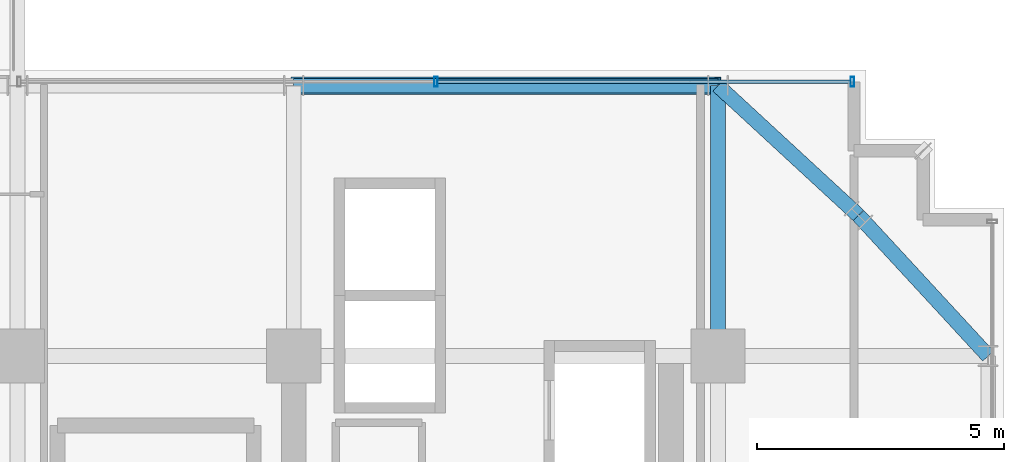
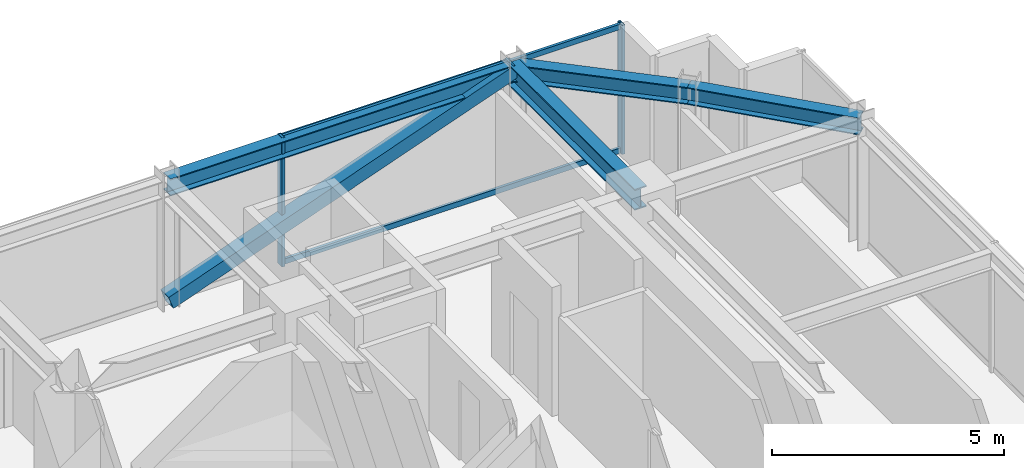
# One storey, part 28 of 43: 5 members, 4 beams, 1 element without a shape of its own.
"""IFC4 building model written with IfcOpenShell, lengths in metres."""

import ifcopenshell
import ifcopenshell.guid

model = None  # the IFC model being written
_history = None  # IfcOwnerHistory: only IFC2X3 demands one
_inside = {}  # id of a spatial element -> (the spatial element, [elements in it])
_under = {}  # id of a project, library or spatial element -> (it, [spatial elements below it])
_declared = {}  # id of a project -> (the project, [libraries it declares])
_typed = {}  # id of a type object -> (the type object, [elements of that type])
_made_of = {}  # id of a material, layer set ... -> (it, [elements and type objects made of it])


def new_model(schema):
    """Start an empty IFC model of exactly this schema.

    Asked for "IFC4X3", IfcOpenShell would pick the latest addendum, in which some entities
    have other attributes; the version numbers below select the first issue.
    IFC2X3 requires an IfcOwnerHistory on every rooted entity: one is made here for all.
    """
    global model, _history
    if schema == "IFC4X3":
        model = ifcopenshell.file(schema_version=(4, 3, 0, 0))
    else:
        model = ifcopenshell.file(schema=schema)
    _inside.clear()
    _under.clear()
    _declared.clear()
    _typed.clear()
    _made_of.clear()
    _history = None
    if model.schema == "IFC2X3":
        org = make("IfcOrganization", Name="unknown")
        user = make(
            "IfcPersonAndOrganization",
            ThePerson=make("IfcPerson", FamilyName="unknown"),
            TheOrganization=org,
        )
        app = make(
            "IfcApplication",
            ApplicationDeveloper=org,
            Version="unknown",
            ApplicationFullName="unknown",
            ApplicationIdentifier="unknown",
        )
        _history = make(
            "IfcOwnerHistory",
            OwningUser=user,
            OwningApplication=app,
            ChangeAction="ADDED",
            CreationDate=0,
        )
    return model


def make(cls, **values):
    """One entity of the class cls with the attributes given. An attribute that is None is left unset."""
    return model.create_entity(
        cls, **{name: value for name, value in values.items() if value is not None}
    )


def rooted(cls, **values):
    """An entity with a GlobalId (a new one), such as an element, a storey or a relation."""
    return make(cls, GlobalId=ifcopenshell.guid.new(), OwnerHistory=_history, **values)


def si_unit(unit_type, name, prefix=None):
    """IfcSIUnit, for example si_unit("LENGTHUNIT", "METRE", prefix="MILLI")."""
    return make("IfcSIUnit", UnitType=unit_type, Prefix=prefix, Name=name)


def assignment(units):
    """IfcUnitAssignment: the units of a project."""
    return None if units is None else make("IfcUnitAssignment", Units=units)


def point(xyz):
    """IfcCartesianPoint."""
    return None if xyz is None else make("IfcCartesianPoint", Coordinates=xyz)


def direction(xyz):
    """IfcDirection."""
    return None if xyz is None else make("IfcDirection", DirectionRatios=xyz)


def frame(location, z_axis=None, x_axis=None):
    """IfcAxis2Placement3D, a coordinate frame: its origin and axes. An axis left out is left unset."""
    return make(
        "IfcAxis2Placement3D",
        Location=point(location),
        Axis=direction(z_axis),
        RefDirection=direction(x_axis),
    )


def frame_2d(location, x_axis=None):
    """IfcAxis2Placement2D, a coordinate frame in the plane: its origin and x axis."""
    return make(
        "IfcAxis2Placement2D", Location=point(location), RefDirection=direction(x_axis)
    )


def origin():
    """The frame at (0, 0, 0) with its axes left unset."""
    return frame((0.0, 0.0, 0.0))


def origin_2d():
    """The frame at (0, 0) in the plane with its x axis left unset."""
    return frame_2d((0.0, 0.0))


def place(relative_to, where):
    """IfcLocalPlacement: puts the frame where relative to a parent placement (None: the world)."""
    return make(
        "IfcLocalPlacement", PlacementRelTo=relative_to, RelativePlacement=where
    )


def context(
    kind, dimensions, precision=None, world=None, true_north=None, identifier=None
):
    """IfcGeometricRepresentationContext, for example the 3D "Model" context."""
    return make(
        "IfcGeometricRepresentationContext",
        ContextIdentifier=identifier,
        ContextType=kind,
        CoordinateSpaceDimension=dimensions,
        Precision=precision,
        WorldCoordinateSystem=world,
        TrueNorth=true_north,
    )


def subcontext(parent, identifier, kind, view, scale=None):
    """IfcGeometricRepresentationSubContext, for example "Body" below "Model"."""
    return make(
        "IfcGeometricRepresentationSubContext",
        ContextIdentifier=identifier,
        ContextType=kind,
        ParentContext=parent,
        TargetScale=scale,
        TargetView=view,
    )


def project(units=None, contexts=None):
    """IfcProject with its units and contexts."""
    return rooted(
        "IfcProject",
        Name="project",
        RepresentationContexts=contexts,
        UnitsInContext=assignment(units),
    )


def spatial(cls, under=None, at=None, **own):
    """A site, building, storey or space (cls), placed at a placement, below another one or the project."""
    s = rooted(cls, ObjectPlacement=at, **own)
    if under is not None:
        _under.setdefault(under.id(), (under, []))[1].append(s)
    return s


def profile(cls, at=None, kind="AREA", **sizes):
    """A parametric profile (cls). Its sizes go by their IFC names, for example OverallWidth=200.0."""
    return make(cls, ProfileType=kind, Position=at, **sizes)


def hollow_rectangle(**sizes):
    """IfcRectangleHollowProfileDef."""
    return profile("IfcRectangleHollowProfileDef", **sizes)


def i_section(**sizes):
    """IfcIShapeProfileDef."""
    return profile("IfcIShapeProfileDef", **sizes)


def extrude(swept, where, along, depth):
    """IfcExtrudedAreaSolid: the profile swept, set in the frame where, extruded along a direction by depth."""
    return make(
        "IfcExtrudedAreaSolid",
        SweptArea=swept,
        Position=where,
        ExtrudedDirection=direction(along),
        Depth=depth,
    )


def shape(context_of_items, identifier, shape_type, items):
    """IfcShapeRepresentation: the items that make up one representation, for example the "Body"."""
    return make(
        "IfcShapeRepresentation",
        ContextOfItems=context_of_items,
        RepresentationIdentifier=identifier,
        RepresentationType=shape_type,
        Items=items,
    )


def source(mapping_origin, context_of_items, identifier, shape_type, items):
    """IfcRepresentationMap: a shape defined once, which mapped items show again and again."""
    return make(
        "IfcRepresentationMap",
        MappingOrigin=mapping_origin,
        MappedRepresentation=shape(context_of_items, identifier, shape_type, items),
    )


def transform(
    local_origin,
    x_axis=None,
    y_axis=None,
    z_axis=None,
    scale=None,
    scale2=None,
    scale3=None,
    uniform=True,
):
    """IfcCartesianTransformationOperator3D, or its non-uniform kind. x_axis, y_axis, z_axis: its Axis1, 2, 3."""
    if uniform:
        return make(
            "IfcCartesianTransformationOperator3D",
            Axis1=direction(x_axis),
            Axis2=direction(y_axis),
            LocalOrigin=point(local_origin),
            Scale=scale,
            Axis3=direction(z_axis),
        )
    return make(
        "IfcCartesianTransformationOperator3DnonUniform",
        Axis1=direction(x_axis),
        Axis2=direction(y_axis),
        LocalOrigin=point(local_origin),
        Scale=scale,
        Axis3=direction(z_axis),
        Scale2=scale2,
        Scale3=scale3,
    )


def mapped(mapping_source, mapping_target):
    """IfcMappedItem: shows the shape of a source again, moved by a transform."""
    return make(
        "IfcMappedItem", MappingSource=mapping_source, MappingTarget=mapping_target
    )


def material(Name=None, Category=None):
    """IfcMaterial."""
    return make("IfcMaterial", Name=Name, Category=Category)


def material_profile(
    of_material, cross_section, Name=None, Category=None, Priority=None
):
    """IfcMaterialProfile: a cross section and its material."""
    return make(
        "IfcMaterialProfile",
        Name=Name,
        Material=of_material,
        Profile=cross_section,
        Priority=Priority,
        Category=Category,
    )


def profile_set(profiles, Name=None, composite=None):
    """IfcMaterialProfileSet."""
    return make(
        "IfcMaterialProfileSet",
        Name=Name,
        MaterialProfiles=profiles,
        CompositeProfile=composite,
    )


def made_of(thing, what):
    """Note that an element or type object is made of a material, layer set ...; save() writes the relation."""
    if what is not None:
        _made_of.setdefault(what.id(), (what, []))[1].append(thing)
    return thing


def type_object(cls, material=None, **own):
    """A type object (cls), such as IfcWallType, which elements share."""
    return made_of(rooted(cls, **own), material)


def element(
    cls,
    number,
    at=None,
    inside=None,
    cuts=None,
    type_object=None,
    material=None,
    context=None,
    identifier="Body",
    shape_type=None,
    held_by="IfcProductDefinitionShape",
    body=None,
    shapes=None,
    **own,
):
    """One element of the class cls, such as IfcWall. Its Tag is "e" and its number.

    at: its placement. inside: the storey or other place that contains it. cuts: it is an
    opening in that element (IfcRelVoidsElement). A single representation is given by context,
    identifier, shape_type and body (its items); several are given by shapes. held_by: the class
    of the entity that holds the representations. save() writes the other relations.
    """
    e = rooted(cls, Tag="e%d" % number, ObjectPlacement=at, **own)
    if body is not None:
        shapes = [shape(context, identifier, shape_type, body)]
    if shapes is not None:
        e.Representation = make(held_by, Representations=shapes)
    if inside is not None:
        _inside.setdefault(inside.id(), (inside, []))[1].append(e)
    if cuts is not None:
        rooted(
            "IfcRelVoidsElement", RelatingBuildingElement=cuts, RelatedOpeningElement=e
        )
    if type_object is not None:
        _typed.setdefault(type_object.id(), (type_object, []))[1].append(e)
    return made_of(e, material)


def aggregate(whole, parts):
    """IfcRelAggregates: a whole, such as a stair, and the parts it consists of."""
    return rooted("IfcRelAggregates", RelatingObject=whole, RelatedObjects=parts)


def save(model, path):
    """Write the relations noted so far, then the file.

    IfcRelAggregates (storeys below a building ...), IfcRelContainedInSpatialStructure (elements
    in a storey), IfcRelDefinesByType, IfcRelAssociatesMaterial and IfcRelDeclares: one each for
    every whole, place, type object, material and project.
    """
    for whole, parts in _under.values():
        aggregate(whole, parts)
    for where, things in _inside.values():
        rooted(
            "IfcRelContainedInSpatialStructure",
            RelatedElements=things,
            RelatingStructure=where,
        )
    for kind, things in _typed.values():
        rooted("IfcRelDefinesByType", RelatedObjects=things, RelatingType=kind)
    for what, things in _made_of.values():
        rooted("IfcRelAssociatesMaterial", RelatedObjects=things, RelatingMaterial=what)
    for by, libraries in _declared.values():
        rooted("IfcRelDeclares", RelatingContext=by, RelatedDefinitions=libraries)
    model.write(path)


model = new_model("IFC4")

# Units and contexts
model_context = context("Model", 3, precision=1e-05, world=origin(), true_north=direction((0.0, 1.0)))
body_context = subcontext(model_context, "Body", "Model", "MODEL_VIEW")
ifc_project = project(units=[si_unit("LENGTHUNIT", "METRE"), si_unit("AREAUNIT", "SQUARE_METRE"), si_unit("VOLUMEUNIT", "CUBIC_METRE"), si_unit("PLANEANGLEUNIT", "RADIAN"), si_unit("MASSUNIT", "GRAM", prefix="KILO")], contexts=[model_context])

# Site, building, storey
site_placement = place(None, origin())
site = spatial("IfcSite", under=ifc_project, at=site_placement, CompositionType="ELEMENT")
building_placement = place(site_placement, origin())
building = spatial("IfcBuilding", under=site, at=building_placement, Name="Nahalor Promenade Grand Hotel", CompositionType="ELEMENT")
storey_placement = place(building_placement, frame((0.0, 0.0, 181.85009765625)))
storey = spatial("IfcBuildingStorey", under=building, at=storey_placement, Name="L46", CompositionType="ELEMENT", Elevation=181.85009765625)

# Beams
ifc_material_1 = material(Name="Steel S355JR", Category="steel")
ifc_material_profile_1 = material_profile(ifc_material_1, i_section(OverallWidth=0.3, OverallDepth=0.55, WebThickness=0.015, FlangeThickness=0.029, at=origin_2d()), Name="HEB 550")
ifc_profile_set_1 = profile_set([ifc_material_profile_1], Name="Steel S355JR")
beam_type_1 = type_object("IfcBeamType", Name="Beam-Girder-HEB550", PredefinedType="BEAM", material=ifc_profile_set_1)
shared_shape_1 = source(origin(), body_context, "Body", "SweptSolid", [
    extrude(i_section(OverallWidth=0.3, OverallDepth=0.55, WebThickness=0.015, FlangeThickness=0.029, at=origin_2d()), origin(), (0.0, 0.0, 1.0), 5.47998046875),
])
beam_1_placement = place(storey_placement, frame((17.0, 17.0, 3.114990234375), z_axis=(0.0, 1.0, 0.0), x_axis=(-1.0, 0.0, 0.0)))
element("IfcBeam", 1, at=beam_1_placement, inside=storey, type_object=beam_type_1, Name="BM-L46-GY-5-4", PredefinedType="BEAM", context=body_context, shape_type="MappedRepresentation", body=[
    mapped(shared_shape_1, transform((0.0, 0.0, 0.0), scale=1.0)),
])
ifc_material_profile_2 = material_profile(ifc_material_1, i_section(OverallWidth=0.3, OverallDepth=0.45, WebThickness=0.014, FlangeThickness=0.026, at=origin_2d()), Name="HEB 450")
ifc_profile_set_2 = profile_set([ifc_material_profile_2], Name="Steel S355JR")
beam_type_2 = type_object("IfcBeamType", Name="Beam-Spandrel-HEB450", PredefinedType="SPANDREL", material=ifc_profile_set_2)
shared_shape_2 = source(origin(), body_context, "Body", "SweptSolid", [
    extrude(i_section(OverallWidth=0.3, OverallDepth=0.45, WebThickness=0.014, FlangeThickness=0.026, at=origin_2d()), origin(), (0.0, 0.0, 1.0), 8.60009765625),
])
beam_2_placement = place(storey_placement, frame((8.39990234375, 22.47998046875, 3.164794921875), z_axis=(1.0, 0.0, 0.0), x_axis=(0.0, 1.0, 0.0)))
element("IfcBeam", 2, at=beam_2_placement, inside=storey, type_object=beam_type_2, Name="BM-L46-SP-N-4", PredefinedType="SPANDREL", context=body_context, shape_type="MappedRepresentation", body=[
    mapped(shared_shape_2, transform((0.0, 0.0, 0.0), scale=1.0)),
])
shared_shape_3 = source(origin(), body_context, "Body", "SweptSolid", [
    extrude(i_section(OverallWidth=0.3, OverallDepth=0.45, WebThickness=0.014, FlangeThickness=0.026, at=origin_2d()), origin(), (0.0, 0.0, 1.0), 3.878173828125),
])
for number, where, z_axis, x_axis, name in (
    (3, (17.0, 22.47998046875, 3.164794921875), (0.73492893846, -0.678144125843, 0.0), (0.678144125843, 0.73492893846, 0.0), "BM-L46-SPC-NE-1"),
    (4, (19.85009765625, 19.85009765625, 3.164794921875), (0.678144125843, -0.73492893846, 0.0), (0.73492893846, 0.678144125843, 0.0), "BM-L46-SPC-NE-2"),
):
    element("IfcBeam", number, at=place(storey_placement, frame(where, z_axis=z_axis, x_axis=x_axis)), inside=storey, type_object=beam_type_2, Name=name, PredefinedType="SPANDREL", context=body_context, shape_type="MappedRepresentation", body=[
        mapped(shared_shape_3, transform((0.0, 0.0, 0.0), scale=1.0)),
    ])

# Member
ifc_material_profile_3 = material_profile(ifc_material_1, hollow_rectangle(XDim=0.35, YDim=0.35, WallThickness=0.02, at=origin_2d()), Name="SHS 350x350x20")
ifc_profile_set_3 = profile_set([ifc_material_profile_3], Name="Steel S355JR")
member_type_1 = type_object("IfcMemberType", Name="Mem-VoidBrace-SHS350", PredefinedType="BRACE", material=ifc_profile_set_3)
shared_shape_4 = source(origin(), body_context, "Body", "SweptSolid", [
    extrude(hollow_rectangle(XDim=0.35, YDim=0.35, WallThickness=0.02, at=origin_2d()), origin(), (0.0, 0.0, 1.0), 9.138427734375),
])
member_1_placement = place(storey_placement, frame((8.39990234375, 22.47998046875, 0.14990234375), z_axis=(0.941094643271, 0.0, 0.338143272012), x_axis=(0.0, 1.0, 0.0)))
element("IfcMember", 5, at=member_1_placement, inside=storey, type_object=member_type_1, Name="EXO-L46-N-1", PredefinedType="BRACE", context=body_context, shape_type="MappedRepresentation", body=[
    mapped(shared_shape_4, transform((0.0, 0.0, 0.0), scale=1.0)),
])

# Curtain wall, members
ifc_material_2 = material(Name="Anodised Bronze Aluminium EN AW-6063 T6", Category="aluminium")
curtain_wall_type = type_object("IfcCurtainWallType", Name="CW3 Elliptical-Void Collar Unitised Curtain Wall", PredefinedType="USERDEFINED", material=ifc_material_2)
curtain_wall_placement = place(storey_placement, origin())
curtain_wall = element("IfcCurtainWall", 6, at=curtain_wall_placement, inside=storey, type_object=curtain_wall_type, Name="L46 Curtain Wall CW-L46-N-3", ObjectType="UNITISED_CURTAIN_WALL", PredefinedType="USERDEFINED")
ifc_material_profile_4 = material_profile(ifc_material_2, hollow_rectangle(XDim=0.07, YDim=0.14, WallThickness=0.004, at=origin_2d()), Name="CWT 70x140x4")
ifc_profile_set_4 = profile_set([ifc_material_profile_4], Name="Anodised Bronze Aluminium EN AW-6063 T6")
member_type_2 = type_object("IfcMemberType", Name="CWT3 Void Collar Transom 70x140", PredefinedType="USERDEFINED", material=ifc_profile_set_4)
shared_shape_5 = source(origin(), body_context, "Body", "SweptSolid", [
    extrude(hollow_rectangle(XDim=0.07, YDim=0.14, WallThickness=0.004, at=origin_2d()), origin(), (0.0, 0.0, 1.0), 8.375),
])
member_2_placement = place(storey_placement, frame((11.31494140625, 22.56005859375, 0.06982421875), z_axis=(1.0, 0.0, 0.0), x_axis=(0.0, 1.0, 0.0)))
member_2 = element("IfcMember", 7, at=member_2_placement, type_object=member_type_2, Name="CW-L46-N-3 Transom 1-0", ObjectType="TRANSOM", PredefinedType="USERDEFINED", context=body_context, shape_type="MappedRepresentation", body=[
    mapped(shared_shape_5, transform((0.0, 0.0, 0.0), scale=1.0)),
])
member_3_placement = place(storey_placement, frame((11.31494140625, 22.56005859375, 3.31982421875), z_axis=(1.0, 0.0, 0.0), x_axis=(0.0, 1.0, 0.0)))
member_3 = element("IfcMember", 8, at=member_3_placement, type_object=member_type_2, Name="CW-L46-N-3 Transom 1-1", ObjectType="TRANSOM", PredefinedType="USERDEFINED", context=body_context, shape_type="MappedRepresentation", body=[
    mapped(shared_shape_5, transform((0.0, 0.0, 0.0), scale=1.0)),
])
ifc_material_profile_5 = material_profile(ifc_material_2, hollow_rectangle(XDim=0.07, YDim=0.2, WallThickness=0.005, at=origin_2d()), Name="CWM 70x200x5")
ifc_profile_set_5 = profile_set([ifc_material_profile_5], Name="Anodised Bronze Aluminium EN AW-6063 T6")
member_type_3 = type_object("IfcMemberType", Name="CWM3 Void Collar Mullion 70x200", PredefinedType="MULLION", material=ifc_profile_set_5)
shared_shape_6 = source(origin(), body_context, "Body", "SweptSolid", [
    extrude(hollow_rectangle(XDim=0.07, YDim=0.2, WallThickness=0.005, at=origin_2d()), origin(), (0.0, 0.0, 1.0), 3.389892578125),
])
member_4_placement = place(storey_placement, frame((11.280029296875, 22.56005859375, 0.0), z_axis=(0.0, 0.0, 1.0), x_axis=(1.0, 0.0, 0.0)))
member_4 = element("IfcMember", 9, at=member_4_placement, type_object=member_type_3, Name="CW-L46-N-3 Mullion 1", PredefinedType="MULLION", context=body_context, shape_type="MappedRepresentation", body=[
    mapped(shared_shape_6, transform((0.0, 0.0, 0.0), scale=1.0)),
])
member_5_placement = place(storey_placement, frame((19.72509765625, 22.56005859375, 0.0), z_axis=(0.0, 0.0, 1.0), x_axis=(1.0, 0.0, 0.0)))
member_5 = element("IfcMember", 10, at=member_5_placement, type_object=member_type_3, Name="CW-L46-N-3 Mullion 2", PredefinedType="MULLION", context=body_context, shape_type="MappedRepresentation", body=[
    mapped(shared_shape_6, transform((0.0, 0.0, 0.0), scale=1.0)),
])
aggregate(curtain_wall, [member_4, member_5, member_2, member_3])

save(model, "model.ifc")
